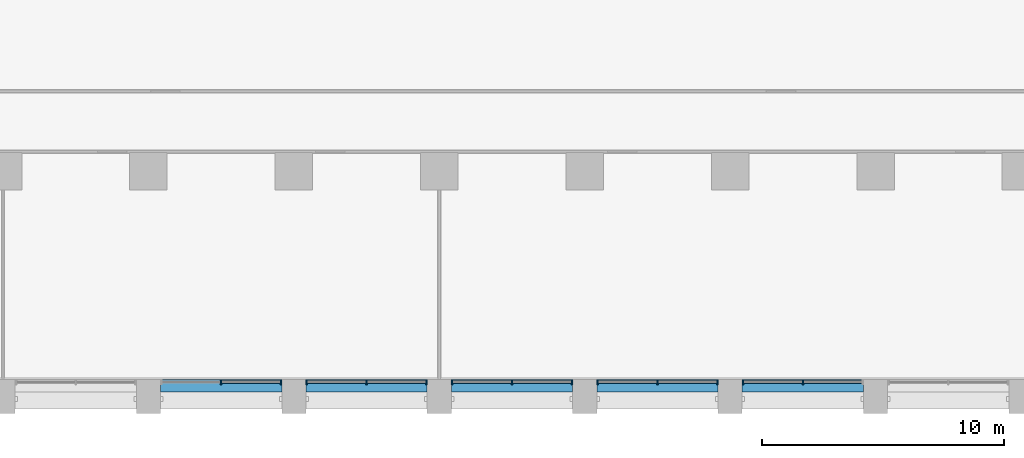
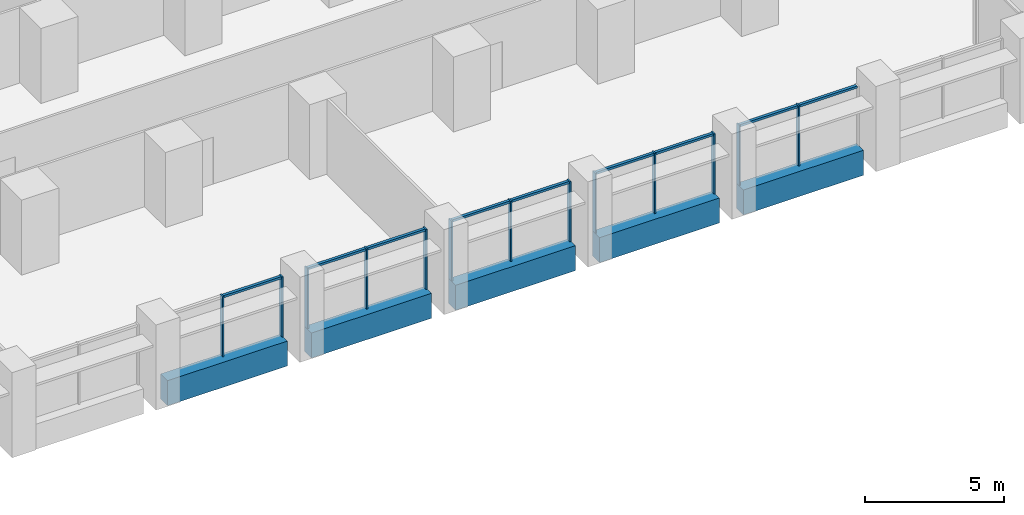
# One storey, part 3 of 17: 22 members, 5 beams, 5 elements without a shape of their own.
"""IFC4 building model written with IfcOpenShell, lengths in metres."""

from ifc_helpers import new_model, si_unit, direction, frame, origin, origin_2d, place, context, subcontext, project, spatial, rectangle, extrude, material, material_profile, profile_set, type_object, element, aggregate, save


model = new_model("IFC4")

# Units and contexts
model_context = context("Model", 3, precision=1e-05, world=origin(), true_north=direction((0.0, 1.0)))
body_context = subcontext(model_context, "Body", "Model", "MODEL_VIEW")
ifc_project = project(units=[si_unit("LENGTHUNIT", "METRE"), si_unit("AREAUNIT", "SQUARE_METRE"), si_unit("VOLUMEUNIT", "CUBIC_METRE"), si_unit("PLANEANGLEUNIT", "RADIAN"), si_unit("MASSUNIT", "GRAM", prefix="KILO")], contexts=[model_context])

# Site, building, storey
site_placement = place(None, origin())
site = spatial("IfcSite", under=ifc_project, at=site_placement, CompositionType="ELEMENT")
building_placement = place(site_placement, origin())
building = spatial("IfcBuilding", under=site, at=building_placement, Name="Calvaro Tower", CompositionType="ELEMENT")
storey_placement = place(building_placement, frame((0.0, 0.0, 75.0)))
storey = spatial("IfcBuildingStorey", under=building, at=storey_placement, Name="L18", CompositionType="ELEMENT", Elevation=75.0)

# Curtain wall, members
ifc_material_1 = material(Name="Anodised aluminium", Category="aluminium")
curtain_wall_type = type_object("IfcCurtainWallType", Name="Office curtain wall, lower zone", PredefinedType="NOTDEFINED", material=ifc_material_1)
curtain_wall_1_placement = place(storey_placement, origin())
curtain_wall_1 = element("IfcCurtainWall", 1, at=curtain_wall_1_placement, inside=storey, type_object=curtain_wall_type, Name="CW1 south curtain wall", PredefinedType="NOTDEFINED")
ifc_material_2 = material(Name="Anodised aluminium", Category="aluminium")
ifc_material_profile_1 = material_profile(ifc_material_2, rectangle(XDim=0.199951171875, YDim=0.06005859375, at=origin_2d()), Name="Mullion S1 60 x 200")
ifc_profile_set_1 = profile_set([ifc_material_profile_1], Name="Anodised aluminium")
member_type_1 = type_object("IfcMemberType", Name="Mullion S1 60 x 200", PredefinedType="MULLION", material=ifc_profile_set_1)
member_1_placement = place(storey_placement, frame((39.0, 1.300048828125, 0.0), z_axis=(0.0, 0.0, 1.0), x_axis=(0.0, 1.0, 0.0)))
member_1 = element("IfcMember", 2, at=member_1_placement, type_object=member_type_1, Name="CW1 mullion 2", PredefinedType="MULLION", context=body_context, shape_type="SweptSolid", body=[
    extrude(rectangle(XDim=0.199951171875, YDim=0.06005859375, at=origin_2d()), origin(), (0.0, 0.0, 1.0), 2.64990234375),
])
member_2_placement = place(storey_placement, frame((41.469970703125, 1.300048828125, 0.0), z_axis=(0.0, 0.0, 1.0), x_axis=(0.0, 1.0, 0.0)))
member_2 = element("IfcMember", 3, at=member_2_placement, type_object=member_type_1, Name="CW1 mullion 3", PredefinedType="MULLION", context=body_context, shape_type="SweptSolid", body=[
    extrude(rectangle(XDim=0.199951171875, YDim=0.06005859375, at=origin_2d()), origin(), (0.0, 0.0, 1.0), 2.64990234375),
])

curtain_wall_2_placement = place(storey_placement, origin())
curtain_wall_2 = element("IfcCurtainWall", 4, at=curtain_wall_2_placement, inside=storey, type_object=curtain_wall_type, Name="CW1 south curtain wall", PredefinedType="NOTDEFINED")
member_3_placement = place(storey_placement, frame((42.530029296875, 1.300048828125, 0.0), z_axis=(0.0, 0.0, 1.0), x_axis=(0.0, 1.0, 0.0)))
member_3 = element("IfcMember", 5, at=member_3_placement, type_object=member_type_1, Name="CW1 mullion 1", PredefinedType="MULLION", context=body_context, shape_type="SweptSolid", body=[
    extrude(rectangle(XDim=0.199951171875, YDim=0.06005859375, at=origin_2d()), origin(), (0.0, 0.0, 1.0), 2.64990234375),
])
member_4_placement = place(storey_placement, frame((45.0, 1.300048828125, 0.0), z_axis=(0.0, 0.0, 1.0), x_axis=(0.0, 1.0, 0.0)))
member_4 = element("IfcMember", 6, at=member_4_placement, type_object=member_type_1, Name="CW1 mullion 2", PredefinedType="MULLION", context=body_context, shape_type="SweptSolid", body=[
    extrude(rectangle(XDim=0.199951171875, YDim=0.06005859375, at=origin_2d()), origin(), (0.0, 0.0, 1.0), 2.64990234375),
])
member_5_placement = place(storey_placement, frame((47.469970703125, 1.300048828125, 0.0), z_axis=(0.0, 0.0, 1.0), x_axis=(0.0, 1.0, 0.0)))
member_5 = element("IfcMember", 7, at=member_5_placement, type_object=member_type_1, Name="CW1 mullion 3", PredefinedType="MULLION", context=body_context, shape_type="SweptSolid", body=[
    extrude(rectangle(XDim=0.199951171875, YDim=0.06005859375, at=origin_2d()), origin(), (0.0, 0.0, 1.0), 2.64990234375),
])

curtain_wall_3_placement = place(storey_placement, origin())
curtain_wall_3 = element("IfcCurtainWall", 8, at=curtain_wall_3_placement, inside=storey, type_object=curtain_wall_type, Name="CW1 south curtain wall", PredefinedType="NOTDEFINED")
member_6_placement = place(storey_placement, frame((48.530029296875, 1.300048828125, 0.0), z_axis=(0.0, 0.0, 1.0), x_axis=(0.0, 1.0, 0.0)))
member_6 = element("IfcMember", 9, at=member_6_placement, type_object=member_type_1, Name="CW1 mullion 1", PredefinedType="MULLION", context=body_context, shape_type="SweptSolid", body=[
    extrude(rectangle(XDim=0.199951171875, YDim=0.06005859375, at=origin_2d()), origin(), (0.0, 0.0, 1.0), 2.64990234375),
])
member_7_placement = place(storey_placement, frame((51.0, 1.300048828125, 0.0), z_axis=(0.0, 0.0, 1.0), x_axis=(0.0, 1.0, 0.0)))
member_7 = element("IfcMember", 10, at=member_7_placement, type_object=member_type_1, Name="CW1 mullion 2", PredefinedType="MULLION", context=body_context, shape_type="SweptSolid", body=[
    extrude(rectangle(XDim=0.199951171875, YDim=0.06005859375, at=origin_2d()), origin(), (0.0, 0.0, 1.0), 2.64990234375),
])
member_8_placement = place(storey_placement, frame((53.469970703125, 1.300048828125, 0.0), z_axis=(0.0, 0.0, 1.0), x_axis=(0.0, 1.0, 0.0)))
member_8 = element("IfcMember", 11, at=member_8_placement, type_object=member_type_1, Name="CW1 mullion 3", PredefinedType="MULLION", context=body_context, shape_type="SweptSolid", body=[
    extrude(rectangle(XDim=0.199951171875, YDim=0.06005859375, at=origin_2d()), origin(), (0.0, 0.0, 1.0), 2.64990234375),
])

curtain_wall_4_placement = place(storey_placement, origin())
curtain_wall_4 = element("IfcCurtainWall", 12, at=curtain_wall_4_placement, inside=storey, type_object=curtain_wall_type, Name="CW1 south curtain wall", PredefinedType="NOTDEFINED")
member_9_placement = place(storey_placement, frame((54.530029296875, 1.300048828125, 0.0), z_axis=(0.0, 0.0, 1.0), x_axis=(0.0, 1.0, 0.0)))
member_9 = element("IfcMember", 13, at=member_9_placement, type_object=member_type_1, Name="CW1 mullion 1", PredefinedType="MULLION", context=body_context, shape_type="SweptSolid", body=[
    extrude(rectangle(XDim=0.199951171875, YDim=0.06005859375, at=origin_2d()), origin(), (0.0, 0.0, 1.0), 2.64990234375),
])
member_10_placement = place(storey_placement, frame((57.0, 1.300048828125, 0.0), z_axis=(0.0, 0.0, 1.0), x_axis=(0.0, 1.0, 0.0)))
member_10 = element("IfcMember", 14, at=member_10_placement, type_object=member_type_1, Name="CW1 mullion 2", PredefinedType="MULLION", context=body_context, shape_type="SweptSolid", body=[
    extrude(rectangle(XDim=0.199951171875, YDim=0.06005859375, at=origin_2d()), origin(), (0.0, 0.0, 1.0), 2.64990234375),
])
member_11_placement = place(storey_placement, frame((59.469970703125, 1.300048828125, 0.0), z_axis=(0.0, 0.0, 1.0), x_axis=(0.0, 1.0, 0.0)))
member_11 = element("IfcMember", 15, at=member_11_placement, type_object=member_type_1, Name="CW1 mullion 3", PredefinedType="MULLION", context=body_context, shape_type="SweptSolid", body=[
    extrude(rectangle(XDim=0.199951171875, YDim=0.06005859375, at=origin_2d()), origin(), (0.0, 0.0, 1.0), 2.64990234375),
])

curtain_wall_5_placement = place(storey_placement, origin())
curtain_wall_5 = element("IfcCurtainWall", 16, at=curtain_wall_5_placement, inside=storey, type_object=curtain_wall_type, Name="CW1 south curtain wall", PredefinedType="NOTDEFINED")
member_12_placement = place(storey_placement, frame((60.530029296875, 1.300048828125, 0.0), z_axis=(0.0, 0.0, 1.0), x_axis=(0.0, 1.0, 0.0)))
member_12 = element("IfcMember", 17, at=member_12_placement, type_object=member_type_1, Name="CW1 mullion 1", PredefinedType="MULLION", context=body_context, shape_type="SweptSolid", body=[
    extrude(rectangle(XDim=0.199951171875, YDim=0.06005859375, at=origin_2d()), origin(), (0.0, 0.0, 1.0), 2.64990234375),
])
member_13_placement = place(storey_placement, frame((63.0, 1.300048828125, 0.0), z_axis=(0.0, 0.0, 1.0), x_axis=(0.0, 1.0, 0.0)))
member_13 = element("IfcMember", 18, at=member_13_placement, type_object=member_type_1, Name="CW1 mullion 2", PredefinedType="MULLION", context=body_context, shape_type="SweptSolid", body=[
    extrude(rectangle(XDim=0.199951171875, YDim=0.06005859375, at=origin_2d()), origin(), (0.0, 0.0, 1.0), 2.64990234375),
])

# Beams
ifc_material_3 = material(Name="Concrete C50/60 precast", Category="concrete")
ifc_material_profile_2 = material_profile(ifc_material_3, rectangle(XDim=0.5, YDim=1.10009765625, at=origin_2d()), Name="RC 500x1100")
ifc_profile_set_2 = profile_set([ifc_material_profile_2], Name="Concrete C50/60 precast")
beam_type = type_object("IfcBeamType", Name="Spandrel beam 500x1100 C50/60", PredefinedType="SPANDREL", material=ifc_profile_set_2)
for number, where, z_axis, x_axis, name in (
    (19, (36.5, 1.14990234375, -0.550048828125), (1.0, 0.0, 0.0), (0.0, 1.0, 0.0), "Spandrel beam"),
    (20, (42.5, 1.14990234375, -0.550048828125), (1.0, 0.0, 0.0), (0.0, 1.0, 0.0), "Spandrel beam"),
    (21, (48.5, 1.14990234375, -0.550048828125), (1.0, 0.0, 0.0), (0.0, 1.0, 0.0), "Spandrel beam"),
    (22, (54.5, 1.14990234375, -0.550048828125), (1.0, 0.0, 0.0), (0.0, 1.0, 0.0), "Spandrel beam"),
    (23, (60.5, 1.14990234375, -0.550048828125), (1.0, 0.0, 0.0), (0.0, 1.0, 0.0), "Spandrel beam"),
):
    element("IfcBeam", number, at=place(storey_placement, frame(where, z_axis=z_axis, x_axis=x_axis)), inside=storey, type_object=beam_type, Name=name, PredefinedType="SPANDREL", context=body_context, shape_type="SweptSolid", body=[
        extrude(rectangle(XDim=0.5, YDim=1.10009765625, at=origin_2d()), origin(), (0.0, 0.0, 1.0), 5.0),
    ])

# Member
ifc_material_4 = material(Name="Anodised aluminium", Category="aluminium")
ifc_material_profile_3 = material_profile(ifc_material_4, rectangle(XDim=0.1201171875, YDim=0.10009765625, at=origin_2d()), Name="Transom S1 100 x 120")
ifc_profile_set_3 = profile_set([ifc_material_profile_3], Name="Anodised aluminium")
member_type_2 = type_object("IfcMemberType", Name="Transom S1 100 x 120", PredefinedType="USERDEFINED", material=ifc_profile_set_3)
member_14_placement = place(storey_placement, frame((39.030029296875, 1.300048828125, 2.60009765625), z_axis=(1.0, 0.0, 0.0), x_axis=(0.0, 1.0, 0.0)))
member_14 = element("IfcMember", 24, at=member_14_placement, type_object=member_type_2, Name="CW1 transom 2.1", ObjectType="TRANSOM", PredefinedType="USERDEFINED", context=body_context, shape_type="SweptSolid", body=[
    extrude(rectangle(XDim=0.1201171875, YDim=0.10009765625, at=origin_2d()), origin(), (0.0, 0.0, 1.0), 2.409912109375),
])

aggregate(curtain_wall_1, [member_1, member_2, member_14])

member_15_placement = place(storey_placement, frame((42.56005859375, 1.300048828125, 2.60009765625), z_axis=(1.0, 0.0, 0.0), x_axis=(0.0, 1.0, 0.0)))
member_15 = element("IfcMember", 25, at=member_15_placement, type_object=member_type_2, Name="CW1 transom 1.1", ObjectType="TRANSOM", PredefinedType="USERDEFINED", context=body_context, shape_type="SweptSolid", body=[
    extrude(rectangle(XDim=0.1201171875, YDim=0.10009765625, at=origin_2d()), origin(), (0.0, 0.0, 1.0), 2.409912109375),
])

member_16_placement = place(storey_placement, frame((45.030029296875, 1.300048828125, 2.60009765625), z_axis=(1.0, 0.0, 0.0), x_axis=(0.0, 1.0, 0.0)))
member_16 = element("IfcMember", 26, at=member_16_placement, type_object=member_type_2, Name="CW1 transom 2.1", ObjectType="TRANSOM", PredefinedType="USERDEFINED", context=body_context, shape_type="SweptSolid", body=[
    extrude(rectangle(XDim=0.1201171875, YDim=0.10009765625, at=origin_2d()), origin(), (0.0, 0.0, 1.0), 2.409912109375),
])

aggregate(curtain_wall_2, [member_3, member_4, member_5, member_15, member_16])

member_17_placement = place(storey_placement, frame((48.56005859375, 1.300048828125, 2.60009765625), z_axis=(1.0, 0.0, 0.0), x_axis=(0.0, 1.0, 0.0)))
member_17 = element("IfcMember", 27, at=member_17_placement, type_object=member_type_2, Name="CW1 transom 1.1", ObjectType="TRANSOM", PredefinedType="USERDEFINED", context=body_context, shape_type="SweptSolid", body=[
    extrude(rectangle(XDim=0.1201171875, YDim=0.10009765625, at=origin_2d()), origin(), (0.0, 0.0, 1.0), 2.409912109375),
])

member_18_placement = place(storey_placement, frame((51.030029296875, 1.300048828125, 2.60009765625), z_axis=(1.0, 0.0, 0.0), x_axis=(0.0, 1.0, 0.0)))
member_18 = element("IfcMember", 28, at=member_18_placement, type_object=member_type_2, Name="CW1 transom 2.1", ObjectType="TRANSOM", PredefinedType="USERDEFINED", context=body_context, shape_type="SweptSolid", body=[
    extrude(rectangle(XDim=0.1201171875, YDim=0.10009765625, at=origin_2d()), origin(), (0.0, 0.0, 1.0), 2.409912109375),
])

aggregate(curtain_wall_3, [member_6, member_7, member_8, member_17, member_18])

member_19_placement = place(storey_placement, frame((54.56005859375, 1.300048828125, 2.60009765625), z_axis=(1.0, 0.0, 0.0), x_axis=(0.0, 1.0, 0.0)))
member_19 = element("IfcMember", 29, at=member_19_placement, type_object=member_type_2, Name="CW1 transom 1.1", ObjectType="TRANSOM", PredefinedType="USERDEFINED", context=body_context, shape_type="SweptSolid", body=[
    extrude(rectangle(XDim=0.1201171875, YDim=0.10009765625, at=origin_2d()), origin(), (0.0, 0.0, 1.0), 2.409912109375),
])

member_20_placement = place(storey_placement, frame((57.030029296875, 1.300048828125, 2.60009765625), z_axis=(1.0, 0.0, 0.0), x_axis=(0.0, 1.0, 0.0)))
member_20 = element("IfcMember", 30, at=member_20_placement, type_object=member_type_2, Name="CW1 transom 2.1", ObjectType="TRANSOM", PredefinedType="USERDEFINED", context=body_context, shape_type="SweptSolid", body=[
    extrude(rectangle(XDim=0.1201171875, YDim=0.10009765625, at=origin_2d()), origin(), (0.0, 0.0, 1.0), 2.409912109375),
])

aggregate(curtain_wall_4, [member_9, member_10, member_11, member_19, member_20])

member_21_placement = place(storey_placement, frame((60.56005859375, 1.300048828125, 2.60009765625), z_axis=(1.0, 0.0, 0.0), x_axis=(0.0, 1.0, 0.0)))
member_21 = element("IfcMember", 31, at=member_21_placement, type_object=member_type_2, Name="CW1 transom 1.1", ObjectType="TRANSOM", PredefinedType="USERDEFINED", context=body_context, shape_type="SweptSolid", body=[
    extrude(rectangle(XDim=0.1201171875, YDim=0.10009765625, at=origin_2d()), origin(), (0.0, 0.0, 1.0), 2.409912109375),
])

member_22_placement = place(storey_placement, frame((63.030029296875, 1.300048828125, 2.60009765625), z_axis=(1.0, 0.0, 0.0), x_axis=(0.0, 1.0, 0.0)))
member_22 = element("IfcMember", 32, at=member_22_placement, type_object=member_type_2, Name="CW1 transom 2.1", ObjectType="TRANSOM", PredefinedType="USERDEFINED", context=body_context, shape_type="SweptSolid", body=[
    extrude(rectangle(XDim=0.1201171875, YDim=0.10009765625, at=origin_2d()), origin(), (0.0, 0.0, 1.0), 2.409912109375),
])

aggregate(curtain_wall_5, [member_12, member_13, member_21, member_22])

save(model, "model.ifc")
